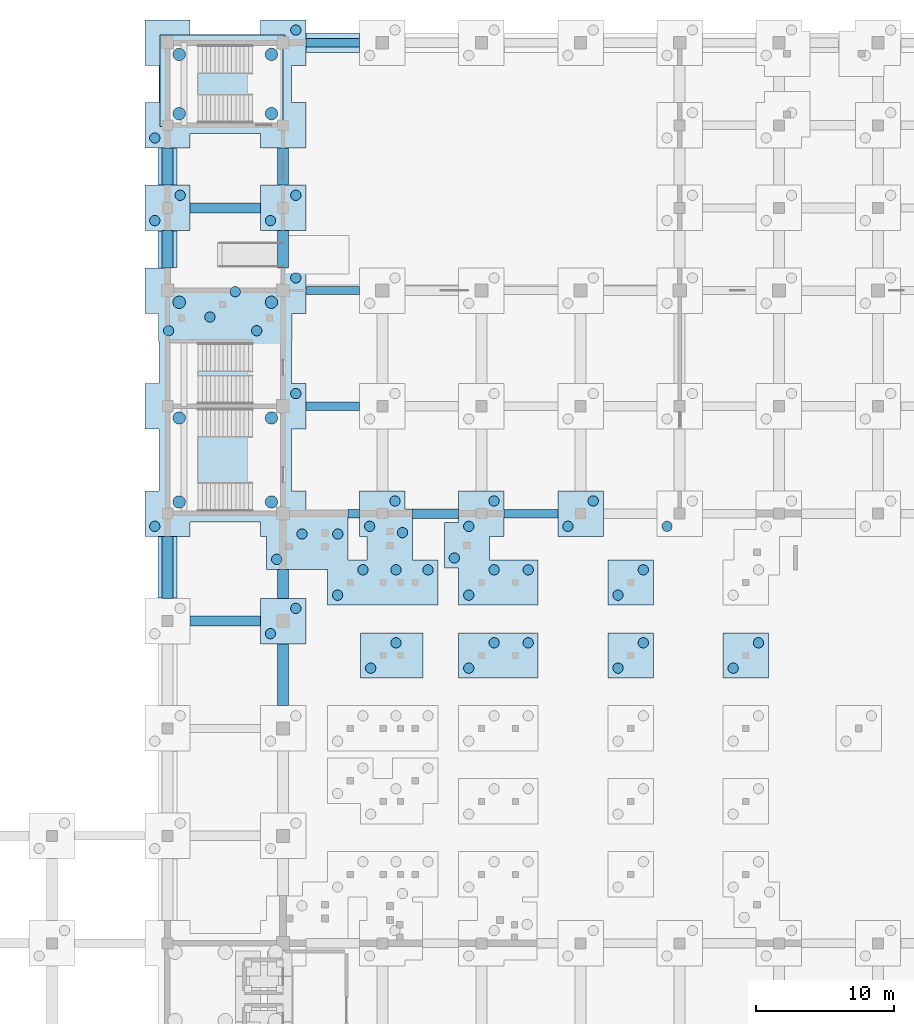
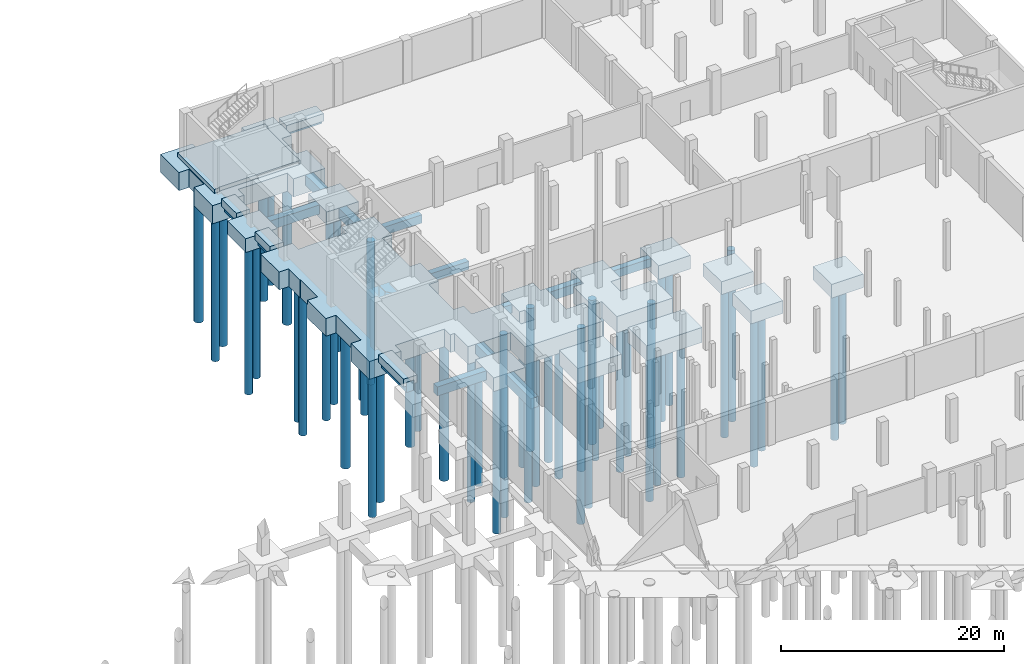
# One storey, part 8 of 42: 55 piles, 32 footings.
"""IFC4 building model written with IfcOpenShell, lengths in metres."""

from ifc_helpers import new_model, si_unit, direction, frame, origin, origin_2d, place, context, subcontext, project, spatial, polyline, rectangle, circle, outline, extrude, material, layer, layer_set, material_profile, profile_set, type_object, element, save


model = new_model("IFC4")

# Units and contexts
model_context = context("Model", 3, precision=1e-05, world=origin(), true_north=direction((0.0, 1.0)))
body_context = subcontext(model_context, "Body", "Model", "MODEL_VIEW")
ifc_project = project(units=[si_unit("LENGTHUNIT", "METRE"), si_unit("AREAUNIT", "SQUARE_METRE"), si_unit("VOLUMEUNIT", "CUBIC_METRE"), si_unit("PLANEANGLEUNIT", "RADIAN"), si_unit("MASSUNIT", "GRAM", prefix="KILO")], contexts=[model_context])

# Site, building, storey
site_placement = place(None, origin())
site = spatial("IfcSite", under=ifc_project, at=site_placement, CompositionType="ELEMENT")
building_placement = place(site_placement, origin())
building = spatial("IfcBuilding", under=site, at=building_placement, Name="Pellamere Symphony Hall", CompositionType="ELEMENT")
storey_placement = place(building_placement, frame((0.0, 0.0, -4.800048828125)))
storey = spatial("IfcBuildingStorey", under=building, at=storey_placement, Name="B1", CompositionType="ELEMENT", Elevation=-4.800048828125)

# Piles
ifc_material_1 = material(Name="Concrete 35 MPa", Category="concrete")
ifc_material_profile_1 = material_profile(ifc_material_1, circle(Radius=0.375, at=origin_2d()), Name="PILE D750")
ifc_profile_set_1 = profile_set([ifc_material_profile_1], Name="Concrete 35 MPa")
pile_type_1 = type_object("IfcPileType", Name="Bored Pile 750mm Concrete 35 MPa", PredefinedType="BORED", material=ifc_profile_set_1)
for number, where, z_axis, x_axis, name in (
    (1, (65.155029296875, 66.179931640625, -2.0), (0.0, 0.0, -1.0), (1.0, 0.0, 0.0), "Bored Pile BP-750-P384"),
    (2, (66.9951171875, 68.02001953125, -2.0), (0.0, 0.0, -1.0), (1.0, 0.0, 0.0), "Bored Pile BP-750-P385"),
    (3, (72.280029296875, 66.179931640625, -2.0), (0.0, 0.0, -1.0), (1.0, 0.0, 0.0), "Bored Pile BP-750-P386"),
    (4, (74.1201171875, 68.02001953125, -2.0), (0.0, 0.0, -1.0), (1.0, 0.0, 0.0), "Bored Pile BP-750-P387"),
    (5, (76.594970703125, 68.02001953125, -2.0), (0.0, 0.0, -1.0), (1.0, 0.0, 0.0), "Bored Pile BP-750-P388"),
):
    element("IfcPile", number, at=place(storey_placement, frame(where, z_axis=z_axis, x_axis=x_axis)), inside=storey, type_object=pile_type_1, Name=name, PredefinedType="BORED", context=body_context, shape_type="SweptSolid", body=[
        extrude(circle(Radius=0.375, at=origin_2d()), origin(), (0.0, 0.0, 1.0), 16.0),
    ])
for number, where, z_axis, x_axis, name in (
    (6, (83.116943359375, 66.179931640625, -1.75), (0.0, 0.0, -1.0), (1.0, 0.0, 0.0), "Bored Pile BP-750-P389"),
    (7, (84.95703125, 68.02001953125, -1.75), (0.0, 0.0, -1.0), (1.0, 0.0, 0.0), "Bored Pile BP-750-P390"),
):
    element("IfcPile", number, at=place(storey_placement, frame(where, z_axis=z_axis, x_axis=x_axis)), inside=storey, type_object=pile_type_1, Name=name, PredefinedType="BORED", context=body_context, shape_type="SweptSolid", body=[
        extrude(circle(Radius=0.375, at=origin_2d()), origin(), (0.0, 0.0, 1.0), 16.25),
    ])
for number, where, z_axis, x_axis, name in (
    (8, (91.47998046875, 66.179931640625, -1.849853515625), (0.0, 0.0, -1.0), (1.0, 0.0, 0.0), "Bored Pile BP-750-P391"),
    (9, (93.320068359375, 68.02001953125, -1.849853515625), (0.0, 0.0, -1.0), (1.0, 0.0, 0.0), "Bored Pile BP-750-P392"),
    (10, (57.8798828125, 68.679931640625, -1.849853515625), (0.0, 0.0, -1.0), (1.0, 0.0, 0.0), "Bored Pile BP-750-P395"),
    (11, (59.719970703125, 70.52001953125, -1.849853515625), (0.0, 0.0, -1.0), (1.0, 0.0, 0.0), "Bored Pile BP-750-P396"),
):
    element("IfcPile", number, at=place(storey_placement, frame(where, z_axis=z_axis, x_axis=x_axis)), inside=storey, type_object=pile_type_1, Name=name, PredefinedType="BORED", context=body_context, shape_type="SweptSolid", body=[
        extrude(circle(Radius=0.375, at=origin_2d()), origin(), (0.0, 0.0, 1.0), 16.14990234375),
    ])
for number, where, z_axis, x_axis, name in (
    (12, (49.47998046875, 76.47998046875, -2.300048828125), (0.0, 0.0, -1.0), (1.0, 0.0, 0.0), "Bored Pile BP-750-P426"),
    (13, (59.719970703125, 86.1201171875, -2.300048828125), (0.0, 0.0, -1.0), (1.0, 0.0, 0.0), "Bored Pile BP-750-P427"),
    (14, (59.719970703125, 94.52001953125, -2.300048828125), (0.0, 0.0, -1.0), (1.0, 0.0, 0.0), "Bored Pile BP-750-P428"),
    (15, (65.080078125, 76.47998046875, -2.300048828125), (0.0, 0.0, -1.0), (1.0, 0.0, 0.0), "Bored Pile BP-750-P429"),
    (16, (66.919921875, 78.320068359375, -2.300048828125), (0.0, 0.0, -1.0), (1.0, 0.0, 0.0), "Bored Pile BP-750-P430"),
    (17, (62.7548828125, 71.47998046875, -2.300048828125), (0.0, 0.0, -1.0), (1.0, 0.0, 0.0), "Bored Pile BP-750-P431"),
    (18, (64.594970703125, 73.320068359375, -2.300048828125), (0.0, 0.0, -1.0), (1.0, 0.0, 0.0), "Bored Pile BP-750-P432"),
    (19, (66.9951171875, 73.320068359375, -2.300048828125), (0.0, 0.0, -1.0), (1.0, 0.0, 0.0), "Bored Pile BP-750-P433"),
    (20, (69.320068359375, 73.320068359375, -2.300048828125), (0.0, 0.0, -1.0), (1.0, 0.0, 0.0), "Bored Pile BP-750-P434"),
    (21, (50.47998046875, 90.679931640625, -2.300048828125), (0.0, 0.0, -1.0), (1.0, 0.0, 0.0), "Bored Pile BP-750-P435"),
    (22, (53.47998046875, 91.679931640625, -2.300048828125), (0.0, 0.0, -1.0), (1.0, 0.0, 0.0), "Bored Pile BP-750-P436"),
    (23, (55.320068359375, 93.52001953125, -2.300048828125), (0.0, 0.0, -1.0), (1.0, 0.0, 0.0), "Bored Pile BP-750-P437"),
    (24, (56.8798828125, 90.679931640625, -2.300048828125), (0.0, 0.0, -1.0), (1.0, 0.0, 0.0), "Bored Pile BP-750-P438"),
    (25, (58.330078125, 74.080078125, -2.300048828125), (0.0, 0.0, -1.0), (1.0, 0.0, 0.0), "Bored Pile BP-750-P439"),
    (26, (60.169921875, 75.919921875, -2.300048828125), (0.0, 0.0, -1.0), (1.0, 0.0, 0.0), "Bored Pile BP-750-P440"),
    (27, (62.77001953125, 75.919921875, -2.300048828125), (0.0, 0.0, -1.0), (1.0, 0.0, 0.0), "Bored Pile BP-750-P441"),
    (28, (67.469970703125, 76.02001953125, -2.300048828125), (0.0, 0.0, -1.0), (1.0, 0.0, 0.0), "Bored Pile BP-750-P442"),
):
    element("IfcPile", number, at=place(storey_placement, frame(where, z_axis=z_axis, x_axis=x_axis)), inside=storey, type_object=pile_type_1, Name=name, PredefinedType="BORED", context=body_context, shape_type="SweptSolid", body=[
        extrude(circle(Radius=0.375, at=origin_2d()), origin(), (0.0, 0.0, 1.0), 15.699951171875),
    ])
for number, where, z_axis, x_axis, name in (
    (29, (72.280029296875, 76.47998046875, -2.14990234375), (0.0, 0.0, -1.0), (1.0, 0.0, 0.0), "Bored Pile BP-750-P443"),
    (30, (74.1201171875, 78.320068359375, -2.14990234375), (0.0, 0.0, -1.0), (1.0, 0.0, 0.0), "Bored Pile BP-750-P444"),
    (31, (72.280029296875, 71.47998046875, -2.14990234375), (0.0, 0.0, -1.0), (1.0, 0.0, 0.0), "Bored Pile BP-750-P445"),
    (32, (74.1201171875, 73.320068359375, -2.14990234375), (0.0, 0.0, -1.0), (1.0, 0.0, 0.0), "Bored Pile BP-750-P446"),
    (33, (76.594970703125, 73.320068359375, -2.14990234375), (0.0, 0.0, -1.0), (1.0, 0.0, 0.0), "Bored Pile BP-750-P447"),
    (34, (71.22998046875, 74.179931640625, -2.14990234375), (0.0, 0.0, -1.0), (1.0, 0.0, 0.0), "Bored Pile BP-750-P448"),
):
    element("IfcPile", number, at=place(storey_placement, frame(where, z_axis=z_axis, x_axis=x_axis)), inside=storey, type_object=pile_type_1, Name=name, PredefinedType="BORED", context=body_context, shape_type="SweptSolid", body=[
        extrude(circle(Radius=0.375, at=origin_2d()), origin(), (0.0, 0.0, 1.0), 15.85009765625),
    ])
for number, where, z_axis, x_axis, name in (
    (35, (83.116943359375, 71.47998046875, -1.75), (0.0, 0.0, -1.0), (1.0, 0.0, 0.0), "Bored Pile BP-750-P449"),
    (36, (84.95703125, 73.320068359375, -1.75), (0.0, 0.0, -1.0), (1.0, 0.0, 0.0), "Bored Pile BP-750-P450"),
):
    element("IfcPile", number, at=place(storey_placement, frame(where, z_axis=z_axis, x_axis=x_axis)), inside=storey, type_object=pile_type_1, Name=name, PredefinedType="BORED", context=body_context, shape_type="SweptSolid", body=[
        extrude(circle(Radius=0.375, at=origin_2d()), origin(), (0.0, 0.0, 1.0), 16.25),
    ])
for number, where, z_axis, x_axis, name in (
    (37, (79.47998046875, 76.47998046875, -1.849853515625), (0.0, 0.0, -1.0), (1.0, 0.0, 0.0), "Bored Pile BP-750-P470"),
    (38, (81.320068359375, 78.320068359375, -1.849853515625), (0.0, 0.0, -1.0), (1.0, 0.0, 0.0), "Bored Pile BP-750-P471"),
):
    element("IfcPile", number, at=place(storey_placement, frame(where, z_axis=z_axis, x_axis=x_axis)), inside=storey, type_object=pile_type_1, Name=name, PredefinedType="BORED", context=body_context, shape_type="SweptSolid", body=[
        extrude(circle(Radius=0.375, at=origin_2d()), origin(), (0.0, 0.0, 1.0), 16.14990234375),
    ])
pile_placement = place(storey_placement, frame((86.679931640625, 76.47998046875, -1.75), z_axis=(0.0, 0.0, -1.0), x_axis=(1.0, 0.0, 0.0)))
element("IfcPile", 39, at=pile_placement, inside=storey, type_object=pile_type_1, Name="Bored Pile BP-750-P472", PredefinedType="BORED", context=body_context, shape_type="SweptSolid", body=[
    extrude(circle(Radius=0.375, at=origin_2d()), origin(), (0.0, 0.0, 1.0), 16.25),
])
for number, where, z_axis, x_axis, name in (
    (40, (49.47998046875, 98.679931640625, -1.849853515625), (0.0, 0.0, -1.0), (1.0, 0.0, 0.0), "Bored Pile BP-750-P522"),
    (41, (51.320068359375, 100.52001953125, -1.849853515625), (0.0, 0.0, -1.0), (1.0, 0.0, 0.0), "Bored Pile BP-750-P523"),
):
    element("IfcPile", number, at=place(storey_placement, frame(where, z_axis=z_axis, x_axis=x_axis)), inside=storey, type_object=pile_type_1, Name=name, PredefinedType="BORED", context=body_context, shape_type="SweptSolid", body=[
        extrude(circle(Radius=0.375, at=origin_2d()), origin(), (0.0, 0.0, 1.0), 16.14990234375),
    ])
for number, where, z_axis, x_axis, name in (
    (42, (57.8798828125, 98.679931640625, -1.75), (0.0, 0.0, -1.0), (1.0, 0.0, 0.0), "Bored Pile BP-750-P524"),
    (43, (59.719970703125, 100.52001953125, -1.75), (0.0, 0.0, -1.0), (1.0, 0.0, 0.0), "Bored Pile BP-750-P525"),
):
    element("IfcPile", number, at=place(storey_placement, frame(where, z_axis=z_axis, x_axis=x_axis)), inside=storey, type_object=pile_type_1, Name=name, PredefinedType="BORED", context=body_context, shape_type="SweptSolid", body=[
        extrude(circle(Radius=0.375, at=origin_2d()), origin(), (0.0, 0.0, 1.0), 16.25),
    ])
for number, where, z_axis, x_axis, name in (
    (44, (49.47998046875, 104.679931640625, -2.349853515625), (0.0, 0.0, -1.0), (1.0, 0.0, 0.0), "Bored Pile BP-750-P550"),
    (45, (59.719970703125, 112.52001953125, -2.349853515625), (0.0, 0.0, -1.0), (1.0, 0.0, 0.0), "Bored Pile BP-750-P551"),
):
    element("IfcPile", number, at=place(storey_placement, frame(where, z_axis=z_axis, x_axis=x_axis)), inside=storey, type_object=pile_type_1, Name=name, PredefinedType="BORED", context=body_context, shape_type="SweptSolid", body=[
        extrude(circle(Radius=0.375, at=origin_2d()), origin(), (0.0, 0.0, 1.0), 15.64990234375),
    ])
ifc_material_2 = material(Name="Concrete 40 MPa", Category="concrete")
ifc_material_profile_2 = material_profile(ifc_material_2, circle(Radius=0.449951171875, at=origin_2d()), Name="PILE D900")
ifc_profile_set_2 = profile_set([ifc_material_profile_2], Name="Concrete 40 MPa")
pile_type_2 = type_object("IfcPileType", Name="Bored Pile 900mm Concrete 40 MPa", PredefinedType="BORED", material=ifc_profile_set_2)
for number, where, z_axis, x_axis, name in (
    (46, (51.25, 78.25, -2.300048828125), (0.0, 0.0, -1.0), (1.0, 0.0, 0.0), "Bored Pile BP-900-P420"),
    (47, (57.949951171875, 78.25, -2.300048828125), (0.0, 0.0, -1.0), (1.0, 0.0, 0.0), "Bored Pile BP-900-P421"),
    (48, (51.25, 84.35009765625, -2.300048828125), (0.0, 0.0, -1.0), (1.0, 0.0, 0.0), "Bored Pile BP-900-P422"),
    (49, (57.949951171875, 84.35009765625, -2.300048828125), (0.0, 0.0, -1.0), (1.0, 0.0, 0.0), "Bored Pile BP-900-P423"),
    (50, (51.25, 92.75, -2.300048828125), (0.0, 0.0, -1.0), (1.0, 0.0, 0.0), "Bored Pile BP-900-P424"),
    (51, (57.949951171875, 92.75, -2.300048828125), (0.0, 0.0, -1.0), (1.0, 0.0, 0.0), "Bored Pile BP-900-P425"),
):
    element("IfcPile", number, at=place(storey_placement, frame(where, z_axis=z_axis, x_axis=x_axis)), inside=storey, type_object=pile_type_2, Name=name, PredefinedType="BORED", context=body_context, shape_type="SweptSolid", body=[
        extrude(circle(Radius=0.449951171875, at=origin_2d()), origin(), (0.0, 0.0, 1.0), 15.699951171875),
    ])
for number, where, z_axis, x_axis, name in (
    (52, (51.25, 106.449951171875, -2.349853515625), (0.0, 0.0, -1.0), (1.0, 0.0, 0.0), "Bored Pile BP-900-P546"),
    (53, (57.949951171875, 106.449951171875, -2.349853515625), (0.0, 0.0, -1.0), (1.0, 0.0, 0.0), "Bored Pile BP-900-P547"),
    (54, (51.25, 110.75, -2.349853515625), (0.0, 0.0, -1.0), (1.0, 0.0, 0.0), "Bored Pile BP-900-P548"),
    (55, (57.949951171875, 110.75, -2.349853515625), (0.0, 0.0, -1.0), (1.0, 0.0, 0.0), "Bored Pile BP-900-P549"),
):
    element("IfcPile", number, at=place(storey_placement, frame(where, z_axis=z_axis, x_axis=x_axis)), inside=storey, type_object=pile_type_2, Name=name, PredefinedType="BORED", context=body_context, shape_type="SweptSolid", body=[
        extrude(circle(Radius=0.449951171875, at=origin_2d()), origin(), (0.0, 0.0, 1.0), 15.64990234375),
    ])

# Footings
ifc_layer_1 = layer(ifc_material_2, 0.43994140625, Name="Concrete 40 MPa")
ifc_layer_set_1 = layer_set([ifc_layer_1], Name="Concrete 40 MPa")
footing_type_1 = type_object("IfcFootingType", Name="Concrete Pad Footing PF-02 9100x6650x440", PredefinedType="PAD_FOOTING", material=ifc_layer_set_1)
footing_1_placement = place(storey_placement, frame((0.0, 0.0, -0.43994140625)))
element("IfcFooting", 56, at=footing_1_placement, inside=storey, type_object=footing_type_1, Name="Stair ST10 Perimeter Plinth Pad Footing PF-02-241", PredefinedType="PAD_FOOTING", context=body_context, shape_type="SweptSolid", body=[
    extrude(outline(polyline([(49.85009765625, 105.5), (49.85009765625, 112.14990234375), (58.949951171875, 112.14990234375), (58.949951171875, 111.610107421875), (58.800048828125, 111.610107421875), (58.799072265625, 111.610107421875), (58.798095703125, 111.60986328125), (58.797119140625, 111.609619140625), (58.796142578125, 111.609130859375), (58.79541015625, 111.60888671875), (58.79443359375, 111.6083984375), (58.793701171875, 111.607666015625), (58.79296875, 111.607177734375), (58.792236328125, 111.606201171875), (58.791748046875, 111.605712890625), (58.791259765625, 111.604736328125), (58.790771484375, 111.603759765625), (58.790283203125, 111.602783203125), (58.790283203125, 111.60205078125), (58.7900390625, 111.60107421875), (58.7900390625, 111.60009765625), (58.7900390625, 105.610107421875), (50.39990234375, 105.610107421875), (50.39892578125, 105.610107421875), (50.39794921875, 105.60986328125), (50.397216796875, 105.609619140625), (50.396240234375, 105.609130859375), (50.395263671875, 105.60888671875), (50.394287109375, 105.6083984375), (50.393798828125, 105.607666015625), (50.392822265625, 105.607177734375), (50.392333984375, 105.606201171875), (50.3916015625, 105.605712890625), (50.39111328125, 105.604736328125), (50.390869140625, 105.603759765625), (50.390380859375, 105.602783203125), (50.39013671875, 105.60205078125), (50.389892578125, 105.60107421875), (50.389892578125, 105.60009765625), (50.389892578125, 105.5), (49.85009765625, 105.5)])), origin(), (0.0, 0.0, 1.0), 0.43994140625),
])
ifc_material_profile_3 = material_profile(ifc_material_2, rectangle(XDim=0.60009765625, YDim=0.89990234375, at=origin_2d()), Name="RC 600x900")
ifc_profile_set_3 = profile_set([ifc_material_profile_3], Name="Concrete 40 MPa")
footing_type_2 = type_object("IfcFootingType", Name="Foundation FB-01 600x900", PredefinedType="FOOTING_BEAM", material=ifc_profile_set_3)
footing_2_placement = place(storey_placement, frame((63.501953125, 77.39990234375, -0.89990234375), z_axis=(1.0, 0.0, 0.0), x_axis=(0.0, 1.0, 0.0)))
element("IfcFooting", 57, at=footing_2_placement, inside=storey, type_object=footing_type_2, Name="Foundation Beam FB-01-178", PredefinedType="FOOTING_BEAM", context=body_context, shape_type="SweptSolid", body=[
    extrude(rectangle(XDim=0.60009765625, YDim=0.89990234375, at=origin_2d()), origin(), (0.0, 0.0, 1.0), 0.845947265625),
])
for number, where, z_axis, x_axis, name in (
    (58, (74.85205078125, 77.39990234375, -0.89990234375), (1.0, 0.0, 0.0), (0.0, 1.0, 0.0), "Foundation Beam FB-01-180"),
    (59, (60.451904296875, 85.199951171875, -0.89990234375), (1.0, 0.0, 0.0), (0.0, 1.0, 0.0), "Foundation Beam FB-01-188"),
    (60, (60.451904296875, 93.60009765625, -0.89990234375), (1.0, 0.0, 0.0), (0.0, 1.0, 0.0), "Foundation Beam FB-01-198"),
    (61, (60.451904296875, 111.60009765625, -0.89990234375), (1.0, 0.0, 0.0), (0.0, 1.0, 0.0), "Foundation Beam FB-01-222"),
):
    element("IfcFooting", number, at=place(storey_placement, frame(where, z_axis=z_axis, x_axis=x_axis)), inside=storey, type_object=footing_type_2, Name=name, PredefinedType="FOOTING_BEAM", context=body_context, shape_type="SweptSolid", body=[
        extrude(rectangle(XDim=0.60009765625, YDim=0.89990234375, at=origin_2d()), origin(), (0.0, 0.0, 1.0), 3.89599609375),
    ])
ifc_material_profile_4 = material_profile(ifc_material_2, rectangle(XDim=0.699951171875, YDim=1.0, at=origin_2d()), Name="RC 700x1000")
ifc_profile_set_4 = profile_set([ifc_material_profile_4], Name="Concrete 40 MPa")
footing_type_3 = type_object("IfcFootingType", Name="Foundation FB-02 700x1000", PredefinedType="FOOTING_BEAM", material=ifc_profile_set_4)
footing_3_placement = place(storey_placement, frame((52.052001953125, 69.60009765625, -0.949951171875), z_axis=(1.0, 0.0, 0.0), x_axis=(0.0, 1.0, 0.0)))
element("IfcFooting", 62, at=footing_3_placement, inside=storey, type_object=footing_type_3, Name="Foundation Beam FB-02-173", PredefinedType="FOOTING_BEAM", context=body_context, shape_type="SweptSolid", body=[
    extrude(rectangle(XDim=0.699951171875, YDim=1.0, at=origin_2d()), origin(), (0.0, 0.0, 1.0), 5.095947265625),
])
footing_4_placement = place(storey_placement, frame((68.201904296875, 77.39990234375, -0.949951171875), z_axis=(1.0, 0.0, 0.0), x_axis=(0.0, 1.0, 0.0)))
element("IfcFooting", 63, at=footing_4_placement, inside=storey, type_object=footing_type_3, Name="Foundation Beam FB-02-179", PredefinedType="FOOTING_BEAM", context=body_context, shape_type="SweptSolid", body=[
    extrude(rectangle(XDim=0.699951171875, YDim=1.0, at=origin_2d()), origin(), (0.0, 0.0, 1.0), 3.34619140625),
])
footing_5_placement = place(storey_placement, frame((52.052001953125, 99.60009765625, -0.949951171875), z_axis=(1.0, 0.0, 0.0), x_axis=(0.0, 1.0, 0.0)))
element("IfcFooting", 64, at=footing_5_placement, inside=storey, type_object=footing_type_3, Name="Foundation Beam FB-02-209", PredefinedType="FOOTING_BEAM", context=body_context, shape_type="SweptSolid", body=[
    extrude(rectangle(XDim=0.699951171875, YDim=1.0, at=origin_2d()), origin(), (0.0, 0.0, 1.0), 5.095947265625),
])
ifc_material_profile_5 = material_profile(ifc_material_2, rectangle(XDim=0.800048828125, YDim=1.10009765625, at=origin_2d()), Name="RC 800x1100")
ifc_profile_set_5 = profile_set([ifc_material_profile_5], Name="Concrete 40 MPa")
footing_type_4 = type_object("IfcFootingType", Name="Foundation FB-03 800x1100", PredefinedType="FOOTING_BEAM", material=ifc_profile_set_5)
footing_6_placement = place(storey_placement, frame((50.39990234375, 71.251953125, -1.0), z_axis=(0.0, 1.0, 0.0), x_axis=(-1.0, 0.0, 0.0)))
element("IfcFooting", 65, at=footing_6_placement, inside=storey, type_object=footing_type_4, Name="Foundation Beam FB-03-271", PredefinedType="FOOTING_BEAM", context=body_context, shape_type="SweptSolid", body=[
    extrude(rectangle(XDim=0.800048828125, YDim=1.10009765625, at=origin_2d()), origin(), (0.0, 0.0, 1.0), 4.49609375),
])
for number, where, z_axis, x_axis, name in (
    (66, (50.39990234375, 95.251953125, -1.0), (0.0, 1.0, 0.0), (-1.0, 0.0, 0.0), "Foundation Beam FB-03-272"),
    (67, (50.39990234375, 101.251953125, -1.0), (0.0, 1.0, 0.0), (-1.0, 0.0, 0.0), "Foundation Beam FB-03-273"),
):
    element("IfcFooting", number, at=place(storey_placement, frame(where, z_axis=z_axis, x_axis=x_axis)), inside=storey, type_object=footing_type_4, Name=name, PredefinedType="FOOTING_BEAM", context=body_context, shape_type="SweptSolid", body=[
        extrude(rectangle(XDim=0.800048828125, YDim=1.10009765625, at=origin_2d()), origin(), (0.0, 0.0, 1.0), 2.696044921875),
    ])
footing_7_placement = place(storey_placement, frame((58.800048828125, 63.451904296875, -1.0), z_axis=(0.0, 1.0, 0.0), x_axis=(-1.0, 0.0, 0.0)))
element("IfcFooting", 68, at=footing_7_placement, inside=storey, type_object=footing_type_4, Name="Foundation Beam FB-03-278", PredefinedType="FOOTING_BEAM", context=body_context, shape_type="SweptSolid", body=[
    extrude(rectangle(XDim=0.800048828125, YDim=1.10009765625, at=origin_2d()), origin(), (0.0, 0.0, 1.0), 4.49609375),
])
footing_8_placement = place(storey_placement, frame((58.800048828125, 71.251953125, -1.0), z_axis=(0.0, 1.0, 0.0), x_axis=(-1.0, 0.0, 0.0)))
element("IfcFooting", 69, at=footing_8_placement, inside=storey, type_object=footing_type_4, Name="Foundation Beam FB-03-279", PredefinedType="FOOTING_BEAM", context=body_context, shape_type="SweptSolid", body=[
    extrude(rectangle(XDim=0.800048828125, YDim=1.10009765625, at=origin_2d()), origin(), (0.0, 0.0, 1.0), 2.095947265625),
])
for number, where, z_axis, x_axis, name in (
    (70, (58.800048828125, 95.251953125, -1.0), (0.0, 1.0, 0.0), (-1.0, 0.0, 0.0), "Foundation Beam FB-03-280"),
    (71, (58.800048828125, 101.251953125, -1.0), (0.0, 1.0, 0.0), (-1.0, 0.0, 0.0), "Foundation Beam FB-03-281"),
):
    element("IfcFooting", number, at=place(storey_placement, frame(where, z_axis=z_axis, x_axis=x_axis)), inside=storey, type_object=footing_type_4, Name=name, PredefinedType="FOOTING_BEAM", context=body_context, shape_type="SweptSolid", body=[
        extrude(rectangle(XDim=0.800048828125, YDim=1.10009765625, at=origin_2d()), origin(), (0.0, 0.0, 1.0), 2.696044921875),
    ])
ifc_material_profile_6 = material_profile(ifc_material_2, rectangle(XDim=1.39990234375, YDim=0.85009765625, at=origin_2d()), Name="RC 1400x850")
ifc_profile_set_6 = profile_set([ifc_material_profile_6], Name="Concrete 40 MPa")
footing_type_5 = type_object("IfcFootingType", Name="Foundation SF-02 1400x850", PredefinedType="STRIP_FOOTING", material=ifc_profile_set_6)
footing_9_placement = place(storey_placement, frame((50.39990234375, 71.264892578125, -0.425048828125), z_axis=(0.0, 1.0, 0.0), x_axis=(-1.0, 0.0, 0.0)))
element("IfcFooting", 72, at=footing_9_placement, inside=storey, type_object=footing_type_5, Name="Foundation Beam SF-02-007", PredefinedType="STRIP_FOOTING", context=body_context, shape_type="SweptSolid", body=[
    extrude(rectangle(XDim=1.39990234375, YDim=0.85009765625, at=origin_2d()), origin(), (0.0, 0.0, 1.0), 4.47021484375),
])
for number, where, z_axis, x_axis, name in (
    (73, (50.39990234375, 95.264892578125, -0.425048828125), (0.0, 1.0, 0.0), (-1.0, 0.0, 0.0), "Foundation Beam SF-02-008"),
    (74, (50.39990234375, 101.264892578125, -0.425048828125), (0.0, 1.0, 0.0), (-1.0, 0.0, 0.0), "Foundation Beam SF-02-009"),
):
    element("IfcFooting", number, at=place(storey_placement, frame(where, z_axis=z_axis, x_axis=x_axis)), inside=storey, type_object=footing_type_5, Name=name, PredefinedType="STRIP_FOOTING", context=body_context, shape_type="SweptSolid", body=[
        extrude(rectangle(XDim=1.39990234375, YDim=0.85009765625, at=origin_2d()), origin(), (0.0, 0.0, 1.0), 2.670166015625),
    ])
footing_10_placement = place(storey_placement, frame((60.465087890625, 111.60009765625, -0.425048828125), z_axis=(1.0, 0.0, 0.0), x_axis=(0.0, 1.0, 0.0)))
element("IfcFooting", 75, at=footing_10_placement, inside=storey, type_object=footing_type_5, Name="Foundation Beam SF-02-010", PredefinedType="STRIP_FOOTING", context=body_context, shape_type="SweptSolid", body=[
    extrude(rectangle(XDim=1.39990234375, YDim=0.85009765625, at=origin_2d()), origin(), (0.0, 0.0, 1.0), 3.869873046875),
])
ifc_layer_2 = layer(ifc_material_2, 1.39990234375, Name="Concrete 40 MPa")
ifc_layer_set_2 = layer_set([ifc_layer_2], Name="Concrete 40 MPa")
footing_type_6 = type_object("IfcFootingType", Name="Pile Cap PC-02 3300x3300x1400", PredefinedType="PILE_CAP", material=ifc_layer_set_2)
footing_11_placement = place(storey_placement, frame((0.0, 0.0, -1.849853515625)))
element("IfcFooting", 76, at=footing_11_placement, inside=storey, type_object=footing_type_6, Name="Pile Cap PC-02-148", PredefinedType="PILE_CAP", context=body_context, shape_type="SweptSolid", body=[
    extrude(outline(polyline([(85.68701171875, 65.449951171875), (82.386962890625, 65.449951171875), (82.386962890625, 68.75), (85.68701171875, 68.75), (85.68701171875, 65.449951171875)])), origin(), (0.0, 0.0, 1.0), 1.39990234375),
])
footing_12_placement = place(storey_placement, frame((0.0, 0.0, -1.849853515625)))
element("IfcFooting", 77, at=footing_12_placement, inside=storey, type_object=footing_type_6, Name="Pile Cap PC-02-160", PredefinedType="PILE_CAP", context=body_context, shape_type="SweptSolid", body=[
    extrude(outline(polyline([(82.386962890625, 70.75), (82.386962890625, 74.050048828125), (85.68701171875, 74.050048828125), (85.68701171875, 70.75), (82.386962890625, 70.75)])), origin(), (0.0, 0.0, 1.0), 1.39990234375),
])
footing_13_placement = place(storey_placement, frame((0.0, 0.0, -1.849853515625)))
element("IfcFooting", 78, at=footing_13_placement, inside=storey, type_object=footing_type_6, Name="Pile Cap PC-02-190", PredefinedType="PILE_CAP", context=body_context, shape_type="SweptSolid", body=[
    extrude(outline(polyline([(60.449951171875, 97.949951171875), (57.14990234375, 97.949951171875), (57.14990234375, 101.25), (60.449951171875, 101.25), (60.449951171875, 97.949951171875)])), origin(), (0.0, 0.0, 1.0), 1.39990234375),
])
ifc_layer_3 = layer(ifc_material_2, 1.5, Name="Concrete 40 MPa")
ifc_layer_set_3 = layer_set([ifc_layer_3], Name="Concrete 40 MPa")
footing_type_7 = type_object("IfcFootingType", Name="Pile Cap PC-03 3300x3300x1500", PredefinedType="PILE_CAP", material=ifc_layer_set_3)
footing_14_placement = place(storey_placement, frame((0.0, 0.0, -1.949951171875)))
element("IfcFooting", 79, at=footing_14_placement, inside=storey, type_object=footing_type_7, Name="Pile Cap PC-03-149", PredefinedType="PILE_CAP", context=body_context, shape_type="SweptSolid", body=[
    extrude(outline(polyline([(94.050048828125, 65.449951171875), (90.75, 65.449951171875), (90.75, 68.75), (94.050048828125, 68.75), (94.050048828125, 65.449951171875)])), origin(), (0.0, 0.0, 1.0), 1.5),
])
footing_15_placement = place(storey_placement, frame((0.0, 0.0, -1.949951171875)))
element("IfcFooting", 80, at=footing_15_placement, inside=storey, type_object=footing_type_7, Name="Pile Cap PC-03-151", PredefinedType="PILE_CAP", context=body_context, shape_type="SweptSolid", body=[
    extrude(outline(polyline([(60.449951171875, 67.949951171875), (57.14990234375, 67.949951171875), (57.14990234375, 71.25), (60.449951171875, 71.25), (60.449951171875, 67.949951171875)])), origin(), (0.0, 0.0, 1.0), 1.5),
])
footing_16_placement = place(storey_placement, frame((0.0, 0.0, -1.949951171875)))
element("IfcFooting", 81, at=footing_16_placement, inside=storey, type_object=footing_type_7, Name="Pile Cap PC-03-163", PredefinedType="PILE_CAP", context=body_context, shape_type="SweptSolid", body=[
    extrude(outline(polyline([(78.75, 75.75), (78.75, 79.050048828125), (82.050048828125, 79.050048828125), (82.050048828125, 75.75), (78.75, 75.75)])), origin(), (0.0, 0.0, 1.0), 1.5),
])
footing_17_placement = place(storey_placement, frame((0.0, 0.0, -1.949951171875)))
element("IfcFooting", 82, at=footing_17_placement, inside=storey, type_object=footing_type_7, Name="Pile Cap PC-03-189", PredefinedType="PILE_CAP", context=body_context, shape_type="SweptSolid", body=[
    extrude(outline(polyline([(48.75, 97.949951171875), (48.75, 101.25), (52.050048828125, 101.25), (52.050048828125, 97.949951171875), (48.75, 97.949951171875)])), origin(), (0.0, 0.0, 1.0), 1.5),
])
ifc_layer_4 = layer(ifc_material_2, 1.64990234375, Name="Concrete 40 MPa")
ifc_layer_set_4 = layer_set([ifc_layer_4], Name="Concrete 40 MPa")
footing_type_8 = type_object("IfcFootingType", Name="Pile Cap PC-05 4400x3300x1650", PredefinedType="PILE_CAP", material=ifc_layer_set_4)
footing_18_placement = place(storey_placement, frame((0.0, 0.0, -2.099853515625)))
element("IfcFooting", 83, at=footing_18_placement, inside=storey, type_object=footing_type_8, Name="Pile Cap PC-05-146", PredefinedType="PILE_CAP", context=body_context, shape_type="SweptSolid", body=[
    extrude(outline(polyline([(64.425048828125, 65.449951171875), (64.425048828125, 68.75), (68.9619140625, 68.75), (68.9619140625, 65.449951171875), (64.425048828125, 65.449951171875)])), origin(), (0.0, 0.0, 1.0), 1.64990234375),
])
footing_19_placement = place(storey_placement, frame((0.0, 0.0, -2.099853515625)))
element("IfcFooting", 84, at=footing_19_placement, inside=storey, type_object=footing_type_8, Name="Pile Cap PC-05-147", PredefinedType="PILE_CAP", context=body_context, shape_type="SweptSolid", body=[
    extrude(outline(polyline([(71.550048828125, 65.449951171875), (71.550048828125, 68.75), (77.324951171875, 68.75), (77.324951171875, 65.449951171875), (71.550048828125, 65.449951171875)])), origin(), (0.0, 0.0, 1.0), 1.64990234375),
])
ifc_layer_5 = layer(ifc_material_2, 1.800048828125, Name="Concrete 40 MPa")
ifc_layer_set_5 = layer_set([ifc_layer_5], Name="Concrete 40 MPa")
footing_type_9 = type_object("IfcFootingType", Name="Pile Cap PC-07 4850x6850x1800", PredefinedType="PILE_CAP", material=ifc_layer_set_5)
footing_20_placement = place(storey_placement, frame((0.0, 0.0, -2.25)))
element("IfcFooting", 85, at=footing_20_placement, inside=storey, type_object=footing_type_9, Name="Pile Cap PC-07-159", PredefinedType="PILE_CAP", context=body_context, shape_type="SweptSolid", body=[
    extrude(outline(polyline([(73.800048828125, 74.050048828125), (77.324951171875, 74.050048828125), (77.324951171875, 70.75), (71.550048828125, 70.75), (71.550048828125, 73.449951171875), (70.5, 73.449951171875), (70.5, 76.75), (71.550048828125, 76.75), (71.550048828125, 79.050048828125), (74.85009765625, 79.050048828125), (74.85009765625, 75.75), (73.800048828125, 75.75), (73.800048828125, 74.050048828125)])), origin(), (0.0, 0.0, 1.0), 1.800048828125),
])
ifc_material_3 = material(Name="Concrete 50 MPa", Category="concrete")
ifc_layer_6 = layer(ifc_material_3, 2.0, Name="Concrete 50 MPa")
ifc_layer_set_6 = layer_set([ifc_layer_6], Name="Concrete 50 MPa")
footing_type_10 = type_object("IfcFootingType", Name="Pile Cap PC-10 5500x12300x2000", PredefinedType="PILE_CAP", material=ifc_layer_set_6)
footing_21_placement = place(storey_placement, frame((0.0, 0.0, -2.449951171875)))
element("IfcFooting", 86, at=footing_21_placement, inside=storey, type_object=footing_type_10, Name="Pile Cap PC-10-201", PredefinedType="PILE_CAP", context=body_context, shape_type="SweptSolid", body=[
    extrude(outline(polyline([(48.75, 103.949951171875), (48.75, 107.25), (49.800048828125, 107.25), (49.800048828125, 109.949951171875), (48.75, 109.949951171875), (48.75, 113.25), (52.050048828125, 113.25), (52.050048828125, 112.199951171875), (57.14990234375, 112.199951171875), (57.14990234375, 113.25), (60.449951171875, 113.25), (60.449951171875, 109.949951171875), (59.39990234375, 109.949951171875), (59.39990234375, 107.25), (60.449951171875, 107.25), (60.449951171875, 103.949951171875), (57.14990234375, 103.949951171875), (57.14990234375, 105.0), (52.050048828125, 105.0), (52.050048828125, 103.949951171875), (48.75, 103.949951171875)])), origin(), (0.0, 0.0, 1.0), 2.0),
])
ifc_layer_7 = layer(ifc_material_3, 1.949951171875, Name="Concrete 50 MPa")
ifc_layer_set_7 = layer_set([ifc_layer_7], Name="Concrete 50 MPa")
footing_type_11 = type_object("IfcFootingType", Name="Pile Cap PC-12 21300x24500x1950", PredefinedType="PILE_CAP", material=ifc_layer_set_7)
footing_22_placement = place(storey_placement, frame((0.0, 0.0, -2.39990234375)))
element("IfcFooting", 87, at=footing_22_placement, inside=storey, type_object=footing_type_11, Name="Pile Cap PC-12-158", PredefinedType="PILE_CAP", context=body_context, shape_type="SweptSolid", body=[
    extrude(outline(polyline([(48.75, 75.75), (48.75, 79.050048828125), (49.800048828125, 79.050048828125), (49.800048828125, 83.550048828125), (48.75, 83.550048828125), (48.75, 86.85009765625), (49.800048828125, 86.85009765625), (49.800048828125, 89.949951171875), (49.75, 89.949951171875), (49.75, 91.949951171875), (48.75, 91.949951171875), (48.75, 95.25), (52.050048828125, 95.25), (52.050048828125, 94.199951171875), (52.75, 94.199951171875), (52.75, 94.25), (56.050048828125, 94.25), (56.050048828125, 94.199951171875), (57.14990234375, 94.199951171875), (57.14990234375, 95.25), (60.449951171875, 95.25), (60.449951171875, 91.949951171875), (59.449951171875, 91.949951171875), (59.449951171875, 89.949951171875), (59.39990234375, 89.949951171875), (59.39990234375, 86.85009765625), (60.449951171875, 86.85009765625), (60.449951171875, 83.550048828125), (59.39990234375, 83.550048828125), (59.39990234375, 79.050048828125), (60.449951171875, 79.050048828125), (60.449951171875, 77.64990234375), (63.5, 77.64990234375), (63.5, 74.050048828125), (64.89990234375, 74.050048828125), (64.89990234375, 75.75), (64.35009765625, 75.75), (64.35009765625, 79.050048828125), (67.64990234375, 79.050048828125), (67.64990234375, 77.75), (68.199951171875, 77.75), (68.199951171875, 74.050048828125), (70.050048828125, 74.050048828125), (70.050048828125, 70.75), (62.02490234375, 70.75), (62.02490234375, 73.35009765625), (57.60009765625, 73.35009765625), (57.60009765625, 75.75), (57.14990234375, 75.75), (57.14990234375, 76.800048828125), (52.050048828125, 76.800048828125), (52.050048828125, 75.75), (48.75, 75.75)])), origin(), (0.0, 0.0, 1.0), 1.949951171875),
])

save(model, "model.ifc")
